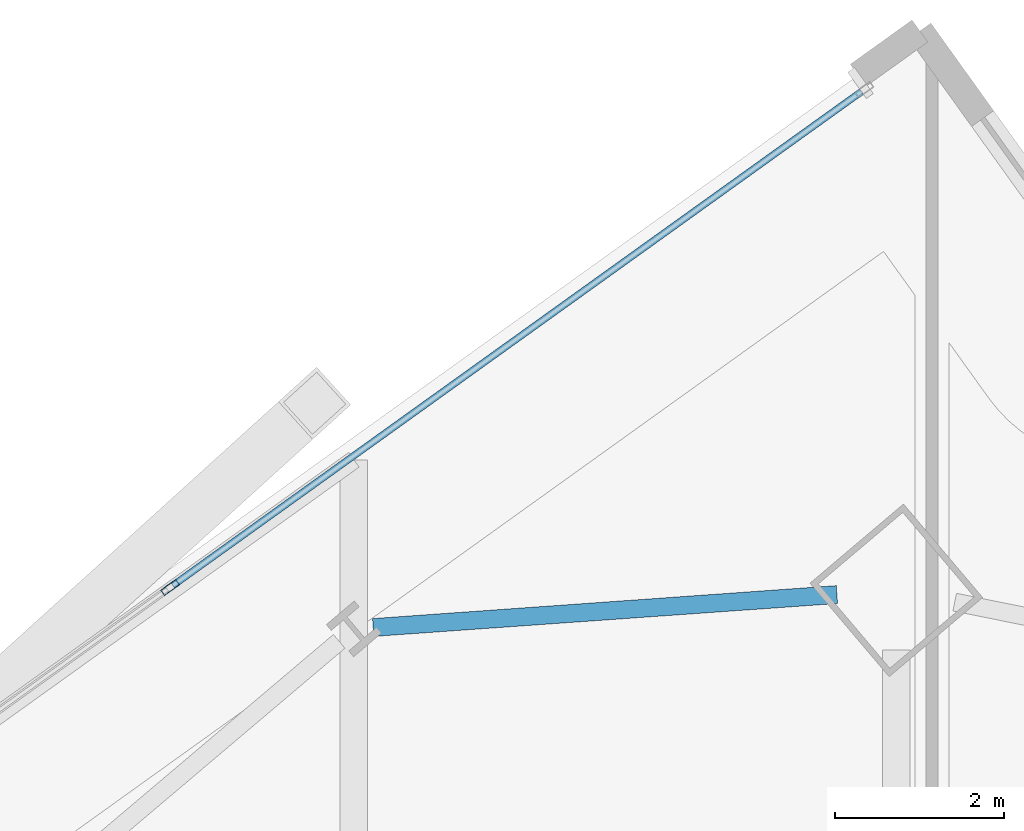
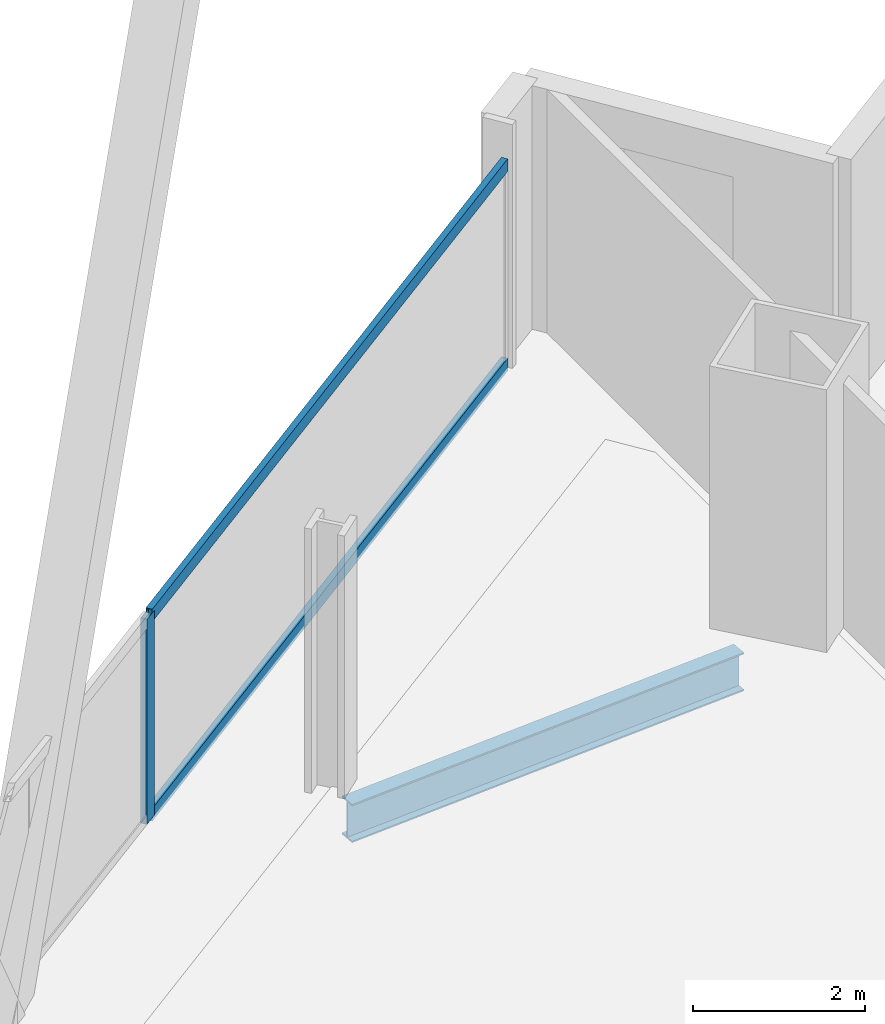
# One storey, part 16 of 33: 3 members, 1 beam, 1 element without a shape of its own.
"""IFC4 building model written with IfcOpenShell, lengths in metres."""

import ifcopenshell
import ifcopenshell.guid

model = None  # the IFC model being written
_history = None  # IfcOwnerHistory: only IFC2X3 demands one
_inside = {}  # id of a spatial element -> (the spatial element, [elements in it])
_under = {}  # id of a project, library or spatial element -> (it, [spatial elements below it])
_declared = {}  # id of a project -> (the project, [libraries it declares])
_typed = {}  # id of a type object -> (the type object, [elements of that type])
_made_of = {}  # id of a material, layer set ... -> (it, [elements and type objects made of it])


def new_model(schema):
    """Start an empty IFC model of exactly this schema.

    Asked for "IFC4X3", IfcOpenShell would pick the latest addendum, in which some entities
    have other attributes; the version numbers below select the first issue.
    IFC2X3 requires an IfcOwnerHistory on every rooted entity: one is made here for all.
    """
    global model, _history
    if schema == "IFC4X3":
        model = ifcopenshell.file(schema_version=(4, 3, 0, 0))
    else:
        model = ifcopenshell.file(schema=schema)
    _inside.clear()
    _under.clear()
    _declared.clear()
    _typed.clear()
    _made_of.clear()
    _history = None
    if model.schema == "IFC2X3":
        org = make("IfcOrganization", Name="unknown")
        user = make(
            "IfcPersonAndOrganization",
            ThePerson=make("IfcPerson", FamilyName="unknown"),
            TheOrganization=org,
        )
        app = make(
            "IfcApplication",
            ApplicationDeveloper=org,
            Version="unknown",
            ApplicationFullName="unknown",
            ApplicationIdentifier="unknown",
        )
        _history = make(
            "IfcOwnerHistory",
            OwningUser=user,
            OwningApplication=app,
            ChangeAction="ADDED",
            CreationDate=0,
        )
    return model


def make(cls, **values):
    """One entity of the class cls with the attributes given. An attribute that is None is left unset."""
    return model.create_entity(
        cls, **{name: value for name, value in values.items() if value is not None}
    )


def rooted(cls, **values):
    """An entity with a GlobalId (a new one), such as an element, a storey or a relation."""
    return make(cls, GlobalId=ifcopenshell.guid.new(), OwnerHistory=_history, **values)


def si_unit(unit_type, name, prefix=None):
    """IfcSIUnit, for example si_unit("LENGTHUNIT", "METRE", prefix="MILLI")."""
    return make("IfcSIUnit", UnitType=unit_type, Prefix=prefix, Name=name)


def assignment(units):
    """IfcUnitAssignment: the units of a project."""
    return None if units is None else make("IfcUnitAssignment", Units=units)


def point(xyz):
    """IfcCartesianPoint."""
    return None if xyz is None else make("IfcCartesianPoint", Coordinates=xyz)


def direction(xyz):
    """IfcDirection."""
    return None if xyz is None else make("IfcDirection", DirectionRatios=xyz)


def frame(location, z_axis=None, x_axis=None):
    """IfcAxis2Placement3D, a coordinate frame: its origin and axes. An axis left out is left unset."""
    return make(
        "IfcAxis2Placement3D",
        Location=point(location),
        Axis=direction(z_axis),
        RefDirection=direction(x_axis),
    )


def frame_2d(location, x_axis=None):
    """IfcAxis2Placement2D, a coordinate frame in the plane: its origin and x axis."""
    return make(
        "IfcAxis2Placement2D", Location=point(location), RefDirection=direction(x_axis)
    )


def origin():
    """The frame at (0, 0, 0) with its axes left unset."""
    return frame((0.0, 0.0, 0.0))


def origin_2d():
    """The frame at (0, 0) in the plane with its x axis left unset."""
    return frame_2d((0.0, 0.0))


def place(relative_to, where):
    """IfcLocalPlacement: puts the frame where relative to a parent placement (None: the world)."""
    return make(
        "IfcLocalPlacement", PlacementRelTo=relative_to, RelativePlacement=where
    )


def context(
    kind, dimensions, precision=None, world=None, true_north=None, identifier=None
):
    """IfcGeometricRepresentationContext, for example the 3D "Model" context."""
    return make(
        "IfcGeometricRepresentationContext",
        ContextIdentifier=identifier,
        ContextType=kind,
        CoordinateSpaceDimension=dimensions,
        Precision=precision,
        WorldCoordinateSystem=world,
        TrueNorth=true_north,
    )


def subcontext(parent, identifier, kind, view, scale=None):
    """IfcGeometricRepresentationSubContext, for example "Body" below "Model"."""
    return make(
        "IfcGeometricRepresentationSubContext",
        ContextIdentifier=identifier,
        ContextType=kind,
        ParentContext=parent,
        TargetScale=scale,
        TargetView=view,
    )


def project(units=None, contexts=None):
    """IfcProject with its units and contexts."""
    return rooted(
        "IfcProject",
        Name="project",
        RepresentationContexts=contexts,
        UnitsInContext=assignment(units),
    )


def spatial(cls, under=None, at=None, **own):
    """A site, building, storey or space (cls), placed at a placement, below another one or the project."""
    s = rooted(cls, ObjectPlacement=at, **own)
    if under is not None:
        _under.setdefault(under.id(), (under, []))[1].append(s)
    return s


def profile(cls, at=None, kind="AREA", **sizes):
    """A parametric profile (cls). Its sizes go by their IFC names, for example OverallWidth=200.0."""
    return make(cls, ProfileType=kind, Position=at, **sizes)


def hollow_rectangle(**sizes):
    """IfcRectangleHollowProfileDef."""
    return profile("IfcRectangleHollowProfileDef", **sizes)


def i_section(**sizes):
    """IfcIShapeProfileDef."""
    return profile("IfcIShapeProfileDef", **sizes)


def extrude(swept, where, along, depth):
    """IfcExtrudedAreaSolid: the profile swept, set in the frame where, extruded along a direction by depth."""
    return make(
        "IfcExtrudedAreaSolid",
        SweptArea=swept,
        Position=where,
        ExtrudedDirection=direction(along),
        Depth=depth,
    )


def shape(context_of_items, identifier, shape_type, items):
    """IfcShapeRepresentation: the items that make up one representation, for example the "Body"."""
    return make(
        "IfcShapeRepresentation",
        ContextOfItems=context_of_items,
        RepresentationIdentifier=identifier,
        RepresentationType=shape_type,
        Items=items,
    )


def material(Name=None, Category=None):
    """IfcMaterial."""
    return make("IfcMaterial", Name=Name, Category=Category)


def material_profile(
    of_material, cross_section, Name=None, Category=None, Priority=None
):
    """IfcMaterialProfile: a cross section and its material."""
    return make(
        "IfcMaterialProfile",
        Name=Name,
        Material=of_material,
        Profile=cross_section,
        Priority=Priority,
        Category=Category,
    )


def profile_set(profiles, Name=None, composite=None):
    """IfcMaterialProfileSet."""
    return make(
        "IfcMaterialProfileSet",
        Name=Name,
        MaterialProfiles=profiles,
        CompositeProfile=composite,
    )


def made_of(thing, what):
    """Note that an element or type object is made of a material, layer set ...; save() writes the relation."""
    if what is not None:
        _made_of.setdefault(what.id(), (what, []))[1].append(thing)
    return thing


def type_object(cls, material=None, **own):
    """A type object (cls), such as IfcWallType, which elements share."""
    return made_of(rooted(cls, **own), material)


def element(
    cls,
    number,
    at=None,
    inside=None,
    cuts=None,
    type_object=None,
    material=None,
    context=None,
    identifier="Body",
    shape_type=None,
    held_by="IfcProductDefinitionShape",
    body=None,
    shapes=None,
    **own,
):
    """One element of the class cls, such as IfcWall. Its Tag is "e" and its number.

    at: its placement. inside: the storey or other place that contains it. cuts: it is an
    opening in that element (IfcRelVoidsElement). A single representation is given by context,
    identifier, shape_type and body (its items); several are given by shapes. held_by: the class
    of the entity that holds the representations. save() writes the other relations.
    """
    e = rooted(cls, Tag="e%d" % number, ObjectPlacement=at, **own)
    if body is not None:
        shapes = [shape(context, identifier, shape_type, body)]
    if shapes is not None:
        e.Representation = make(held_by, Representations=shapes)
    if inside is not None:
        _inside.setdefault(inside.id(), (inside, []))[1].append(e)
    if cuts is not None:
        rooted(
            "IfcRelVoidsElement", RelatingBuildingElement=cuts, RelatedOpeningElement=e
        )
    if type_object is not None:
        _typed.setdefault(type_object.id(), (type_object, []))[1].append(e)
    return made_of(e, material)


def aggregate(whole, parts):
    """IfcRelAggregates: a whole, such as a stair, and the parts it consists of."""
    return rooted("IfcRelAggregates", RelatingObject=whole, RelatedObjects=parts)


def save(model, path):
    """Write the relations noted so far, then the file.

    IfcRelAggregates (storeys below a building ...), IfcRelContainedInSpatialStructure (elements
    in a storey), IfcRelDefinesByType, IfcRelAssociatesMaterial and IfcRelDeclares: one each for
    every whole, place, type object, material and project.
    """
    for whole, parts in _under.values():
        aggregate(whole, parts)
    for where, things in _inside.values():
        rooted(
            "IfcRelContainedInSpatialStructure",
            RelatedElements=things,
            RelatingStructure=where,
        )
    for kind, things in _typed.values():
        rooted("IfcRelDefinesByType", RelatedObjects=things, RelatingType=kind)
    for what, things in _made_of.values():
        rooted("IfcRelAssociatesMaterial", RelatedObjects=things, RelatingMaterial=what)
    for by, libraries in _declared.values():
        rooted("IfcRelDeclares", RelatingContext=by, RelatedDefinitions=libraries)
    model.write(path)


model = new_model("IFC4")

# Units and contexts
model_context = context("Model", 3, precision=1e-05, world=origin(), true_north=direction((0.0, 1.0)))
body_context = subcontext(model_context, "Body", "Model", "MODEL_VIEW")
ifc_project = project(units=[si_unit("LENGTHUNIT", "METRE"), si_unit("AREAUNIT", "SQUARE_METRE"), si_unit("VOLUMEUNIT", "CUBIC_METRE"), si_unit("PLANEANGLEUNIT", "RADIAN"), si_unit("MASSUNIT", "GRAM", prefix="KILO")], contexts=[model_context])

# Site, building, storey
site_placement = place(None, origin())
site = spatial("IfcSite", under=ifc_project, at=site_placement, CompositionType="ELEMENT")
building_placement = place(site_placement, origin())
building = spatial("IfcBuilding", under=site, at=building_placement, Name="Haldenkirk Collegiate Tower", CompositionType="ELEMENT")
storey_placement = place(building_placement, frame((0.0, 0.0, 148.199951171875)))
storey = spatial("IfcBuildingStorey", under=building, at=storey_placement, Name="L36", CompositionType="ELEMENT", Elevation=148.199951171875)

# Beam
ifc_material_1 = material(Name="Steel ASTM A992 Grade 50", Category="steel")
ifc_material_profile_1 = material_profile(ifc_material_1, i_section(OverallWidth=0.2119140625, OverallDepth=0.5439453125, WebThickness=0.01318359375, FlangeThickness=0.021240234375, at=origin_2d()), Name="W21X83")
ifc_profile_set_1 = profile_set([ifc_material_profile_1], Name="Steel ASTM A992 Grade 50")
beam_type = type_object("IfcBeamType", Name="BM-SPANDREL-W21X83", PredefinedType="SPANDREL", material=ifc_profile_set_1)
beam_placement = place(storey_placement, frame((38.373779296875, 51.025146484375, -0.56201171875), z_axis=(-0.997489017738, -0.070821320891, 0.0), x_axis=(0.070821320891, -0.997489017738, 0.0)))
element("IfcBeam", 1, at=beam_placement, inside=storey, type_object=beam_type, Name="L36 perimeter spandrel beam 09", PredefinedType="SPANDREL", context=body_context, shape_type="SweptSolid", body=[
    extrude(i_section(OverallWidth=0.2119140625, OverallDepth=0.5439453125, WebThickness=0.01318359375, FlangeThickness=0.021240234375, at=origin_2d()), origin(), (0.0, 0.0, 1.0), 5.501953125),
])

# Curtain wall, members
ifc_material_2 = material(Name="Anodised architectural bronze aluminium", Category="aluminium")
curtain_wall_type = type_object("IfcCurtainWallType", Name="CW-SYS1-CONVEX-LOW", PredefinedType="USERDEFINED", material=ifc_material_2)
curtain_wall_placement = place(storey_placement, origin())
curtain_wall = element("IfcCurtainWall", 2, at=curtain_wall_placement, inside=storey, type_object=curtain_wall_type, Name="L36 Lower tower convex bronze-framed unitised curtain wall", ObjectType="UNITISED CURTAIN WALL", PredefinedType="USERDEFINED")
ifc_material_profile_2 = material_profile(ifc_material_2, hollow_rectangle(XDim=0.080078125, YDim=0.219970703125, WallThickness=0.0048828125, at=origin_2d()), Name="CW-MUL-1A")
ifc_profile_set_2 = profile_set([ifc_material_profile_2], Name="Anodised architectural bronze aluminium")
member_type_1 = type_object("IfcMemberType", Name="CW-MUL-1A", PredefinedType="MULLION", material=ifc_profile_set_2)
member_1_placement = place(storey_placement, frame((30.4814453125, 51.109130859375, 0.0), z_axis=(0.0, 0.0, 1.0), x_axis=(-0.582830736817, 0.81259358367, 0.0)))
member_1 = element("IfcMember", 3, at=member_1_placement, type_object=member_type_1, Name="CW-1A mullion 4", PredefinedType="MULLION", context=body_context, shape_type="SweptSolid", body=[
    extrude(hollow_rectangle(XDim=0.080078125, YDim=0.219970703125, WallThickness=0.0048828125, at=origin_2d()), origin(), (0.0, 0.0, 1.0), 2.9111328125),
])
ifc_material_profile_3 = material_profile(ifc_material_2, hollow_rectangle(XDim=0.080078125, YDim=0.179931640625, WallThickness=0.0048828125, at=origin_2d()), Name="CW-TRN-1A")
ifc_profile_set_3 = profile_set([ifc_material_profile_3], Name="Anodised architectural bronze aluminium")
member_type_2 = type_object("IfcMemberType", Name="CW-TRN-1A", PredefinedType="USERDEFINED", material=ifc_profile_set_3)
member_2_placement = place(storey_placement, frame((30.513916015625, 51.132568359375, 0.0400390625), z_axis=(0.812600401036, 0.5828212318, 0.0), x_axis=(-0.5828212318, 0.812600401036, 0.0)))
member_2 = element("IfcMember", 4, at=member_2_placement, type_object=member_type_2, Name="CW-1A transom 4.1", ObjectType="TRANSOM", PredefinedType="USERDEFINED", context=body_context, shape_type="SweptSolid", body=[
    extrude(hollow_rectangle(XDim=0.080078125, YDim=0.179931640625, WallThickness=0.0048828125, at=origin_2d()), origin(), (0.0, 0.0, 1.0), 10.030029296875),
])
member_3_placement = place(storey_placement, frame((30.513916015625, 51.132568359375, 2.87109375), z_axis=(0.812600401036, 0.5828212318, 0.0), x_axis=(-0.5828212318, 0.812600401036, 0.0)))
member_3 = element("IfcMember", 5, at=member_3_placement, type_object=member_type_2, Name="CW-1A transom 4.2", ObjectType="TRANSOM", PredefinedType="USERDEFINED", context=body_context, shape_type="SweptSolid", body=[
    extrude(hollow_rectangle(XDim=0.080078125, YDim=0.179931640625, WallThickness=0.0048828125, at=origin_2d()), origin(), (0.0, 0.0, 1.0), 10.030029296875),
])
aggregate(curtain_wall, [member_1, member_2, member_3])

save(model, "model.ifc")
